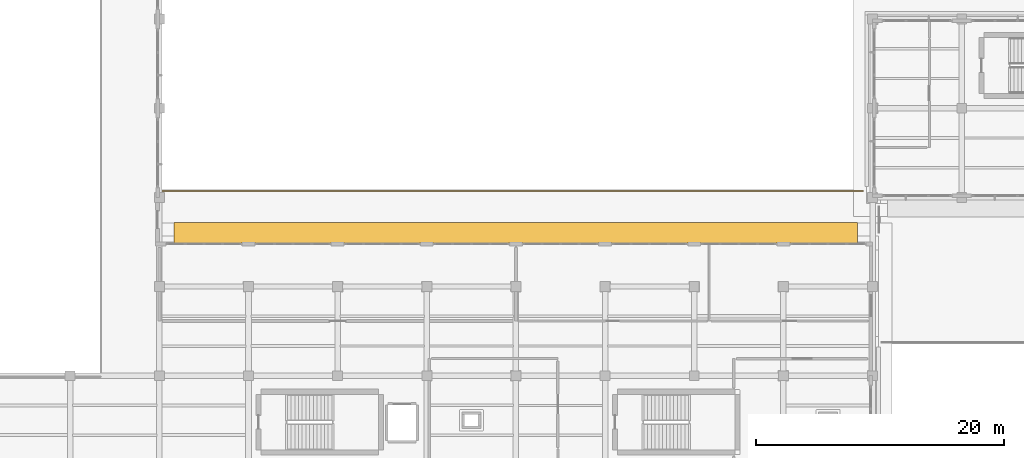
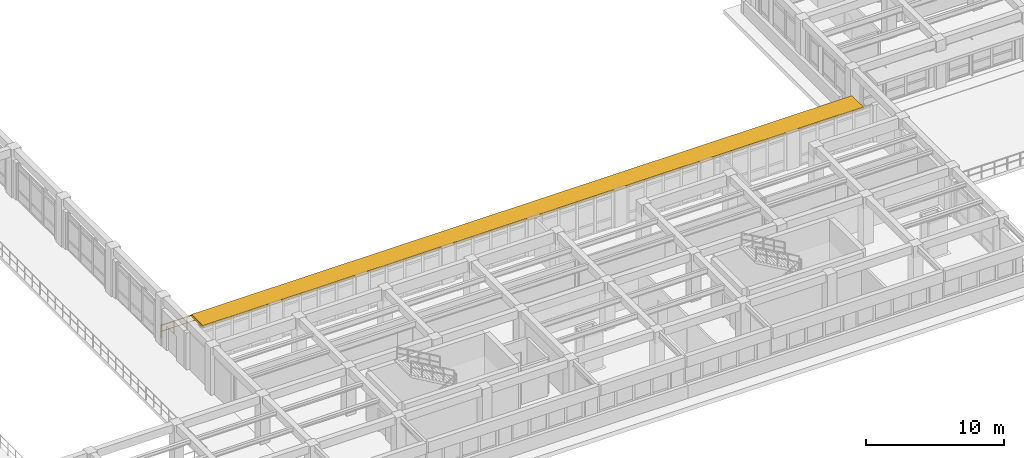
# One storey, part 57 of 67: 1 railing, 1 shading device.
"""IFC4 building model written with IfcOpenShell, lengths in metres."""

from ifc_helpers import new_model, si_unit, direction, frame, origin, origin_2d, place, context, subcontext, project, spatial, rectangle, circle, extrude, material, type_object, element, save


model = new_model("IFC4")

# Units and contexts
model_context = context("Model", 3, precision=1e-05, world=origin(), true_north=direction((0.0, 1.0)))
body_context = subcontext(model_context, "Body", "Model", "MODEL_VIEW")
ifc_project = project(units=[si_unit("LENGTHUNIT", "METRE"), si_unit("AREAUNIT", "SQUARE_METRE"), si_unit("VOLUMEUNIT", "CUBIC_METRE"), si_unit("PLANEANGLEUNIT", "RADIAN"), si_unit("MASSUNIT", "GRAM", prefix="KILO")], contexts=[model_context])

# Site, building, storey
site_placement = place(None, origin())
site = spatial("IfcSite", under=ifc_project, at=site_placement, CompositionType="ELEMENT")
building_placement = place(site_placement, origin())
building = spatial("IfcBuilding", under=site, at=building_placement, Name="Solenvale Faculty of Natural Sciences", CompositionType="ELEMENT")
storey_placement = place(building_placement, frame((0.0, 0.0, 13.5)))
storey = spatial("IfcBuildingStorey", under=building, at=storey_placement, Name="L03", CompositionType="ELEMENT", Elevation=13.5)

# Railing
ifc_material_1 = material(Name="Stainless steel Grade 304", Category="steel")
railing_type = type_object("IfcRailingType", Name="RL-TERR-1100", PredefinedType="GUARDRAIL", material=ifc_material_1)
railing_placement = place(storey_placement, frame((57.719970703125, 43.719970703125, 0.0)))
element("IfcRailing", 1, at=railing_placement, inside=storey, type_object=railing_type, Name="L03 Terrace Guardrail 1.6", PredefinedType="GUARDRAIL", context=body_context, shape_type="SweptSolid", body=[
    extrude(circle(Radius=0.02392578125, at=origin_2d()), frame((0.0, 0.0, 1.09619140625), z_axis=(1.0, 0.0, 0.0), x_axis=(0.0, 1.0, 0.0)), (0.0, 0.0, 1.0), 56.719970703125),
    extrude(circle(Radius=0.01611328125, at=origin_2d()), frame((0.0, 0.0, 0.56005859375), z_axis=(1.0, 0.0, 0.0), x_axis=(0.0, 1.0, 0.0)), (0.0, 0.0, 1.0), 56.719970703125),
    extrude(circle(Radius=0.02099609375, at=origin_2d()), origin(), (0.0, 0.0, 1.0), 1.072021484375),
    extrude(circle(Radius=0.02099609375, at=origin_2d()), frame((1.0908203125, 0.0, 0.0)), (0.0, 0.0, 1.0), 1.072021484375),
    extrude(circle(Radius=0.02099609375, at=origin_2d()), frame((2.181640625, 0.0, 0.0)), (0.0, 0.0, 1.0), 1.072021484375),
    extrude(circle(Radius=0.02099609375, at=origin_2d()), frame((3.272216796875, 0.0, 0.0)), (0.0, 0.0, 1.0), 1.072021484375),
    extrude(circle(Radius=0.02099609375, at=origin_2d()), frame((4.363037109375, 0.0, 0.0)), (0.0, 0.0, 1.0), 1.072021484375),
    extrude(circle(Radius=0.02099609375, at=origin_2d()), frame((5.453857421875, 0.0, 0.0)), (0.0, 0.0, 1.0), 1.072021484375),
    extrude(circle(Radius=0.02099609375, at=origin_2d()), frame((6.544677734375, 0.0, 0.0)), (0.0, 0.0, 1.0), 1.072021484375),
    extrude(circle(Radius=0.02099609375, at=origin_2d()), frame((7.635498046875, 0.0, 0.0)), (0.0, 0.0, 1.0), 1.072021484375),
    extrude(circle(Radius=0.02099609375, at=origin_2d()), frame((8.72607421875, 0.0, 0.0)), (0.0, 0.0, 1.0), 1.072021484375),
    extrude(circle(Radius=0.02099609375, at=origin_2d()), frame((9.81689453125, 0.0, 0.0)), (0.0, 0.0, 1.0), 1.072021484375),
    extrude(circle(Radius=0.02099609375, at=origin_2d()), frame((10.90771484375, 0.0, 0.0)), (0.0, 0.0, 1.0), 1.072021484375),
    extrude(circle(Radius=0.02099609375, at=origin_2d()), frame((11.99853515625, 0.0, 0.0)), (0.0, 0.0, 1.0), 1.072021484375),
    extrude(circle(Radius=0.02099609375, at=origin_2d()), frame((13.089111328125, 0.0, 0.0)), (0.0, 0.0, 1.0), 1.072021484375),
    extrude(circle(Radius=0.02099609375, at=origin_2d()), frame((14.179931640625, 0.0, 0.0)), (0.0, 0.0, 1.0), 1.072021484375),
    extrude(circle(Radius=0.02099609375, at=origin_2d()), frame((15.270751953125, 0.0, 0.0)), (0.0, 0.0, 1.0), 1.072021484375),
    extrude(circle(Radius=0.02099609375, at=origin_2d()), frame((16.361572265625, 0.0, 0.0)), (0.0, 0.0, 1.0), 1.072021484375),
    extrude(circle(Radius=0.02099609375, at=origin_2d()), frame((17.452392578125, 0.0, 0.0)), (0.0, 0.0, 1.0), 1.072021484375),
    extrude(circle(Radius=0.02099609375, at=origin_2d()), frame((18.54296875, 0.0, 0.0)), (0.0, 0.0, 1.0), 1.072021484375),
    extrude(circle(Radius=0.02099609375, at=origin_2d()), frame((19.6337890625, 0.0, 0.0)), (0.0, 0.0, 1.0), 1.072021484375),
    extrude(circle(Radius=0.02099609375, at=origin_2d()), frame((20.724609375, 0.0, 0.0)), (0.0, 0.0, 1.0), 1.072021484375),
    extrude(circle(Radius=0.02099609375, at=origin_2d()), frame((21.8154296875, 0.0, 0.0)), (0.0, 0.0, 1.0), 1.072021484375),
    extrude(circle(Radius=0.02099609375, at=origin_2d()), frame((22.90625, 0.0, 0.0)), (0.0, 0.0, 1.0), 1.072021484375),
    extrude(circle(Radius=0.02099609375, at=origin_2d()), frame((23.996826171875, 0.0, 0.0)), (0.0, 0.0, 1.0), 1.072021484375),
    extrude(circle(Radius=0.02099609375, at=origin_2d()), frame((25.087646484375, 0.0, 0.0)), (0.0, 0.0, 1.0), 1.072021484375),
    extrude(circle(Radius=0.02099609375, at=origin_2d()), frame((26.178466796875, 0.0, 0.0)), (0.0, 0.0, 1.0), 1.072021484375),
    extrude(circle(Radius=0.02099609375, at=origin_2d()), frame((27.269287109375, 0.0, 0.0)), (0.0, 0.0, 1.0), 1.072021484375),
    extrude(circle(Radius=0.02099609375, at=origin_2d()), frame((28.35986328125, 0.0, 0.0)), (0.0, 0.0, 1.0), 1.072021484375),
    extrude(circle(Radius=0.02099609375, at=origin_2d()), frame((29.45068359375, 0.0, 0.0)), (0.0, 0.0, 1.0), 1.072021484375),
    extrude(circle(Radius=0.02099609375, at=origin_2d()), frame((30.54150390625, 0.0, 0.0)), (0.0, 0.0, 1.0), 1.072021484375),
    extrude(circle(Radius=0.02099609375, at=origin_2d()), frame((31.63232421875, 0.0, 0.0)), (0.0, 0.0, 1.0), 1.072021484375),
    extrude(circle(Radius=0.02099609375, at=origin_2d()), frame((32.72314453125, 0.0, 0.0)), (0.0, 0.0, 1.0), 1.072021484375),
    extrude(circle(Radius=0.02099609375, at=origin_2d()), frame((33.813720703125, 0.0, 0.0)), (0.0, 0.0, 1.0), 1.072021484375),
    extrude(circle(Radius=0.02099609375, at=origin_2d()), frame((34.904541015625, 0.0, 0.0)), (0.0, 0.0, 1.0), 1.072021484375),
    extrude(circle(Radius=0.02099609375, at=origin_2d()), frame((35.995361328125, 0.0, 0.0)), (0.0, 0.0, 1.0), 1.072021484375),
    extrude(circle(Radius=0.02099609375, at=origin_2d()), frame((37.086181640625, 0.0, 0.0)), (0.0, 0.0, 1.0), 1.072021484375),
    extrude(circle(Radius=0.02099609375, at=origin_2d()), frame((38.177001953125, 0.0, 0.0)), (0.0, 0.0, 1.0), 1.072021484375),
    extrude(circle(Radius=0.02099609375, at=origin_2d()), frame((39.267578125, 0.0, 0.0)), (0.0, 0.0, 1.0), 1.072021484375),
    extrude(circle(Radius=0.02099609375, at=origin_2d()), frame((40.3583984375, 0.0, 0.0)), (0.0, 0.0, 1.0), 1.072021484375),
    extrude(circle(Radius=0.02099609375, at=origin_2d()), frame((41.44921875, 0.0, 0.0)), (0.0, 0.0, 1.0), 1.072021484375),
    extrude(circle(Radius=0.02099609375, at=origin_2d()), frame((42.5400390625, 0.0, 0.0)), (0.0, 0.0, 1.0), 1.072021484375),
    extrude(circle(Radius=0.02099609375, at=origin_2d()), frame((43.630859375, 0.0, 0.0)), (0.0, 0.0, 1.0), 1.072021484375),
    extrude(circle(Radius=0.02099609375, at=origin_2d()), frame((44.721435546875, 0.0, 0.0)), (0.0, 0.0, 1.0), 1.072021484375),
    extrude(circle(Radius=0.02099609375, at=origin_2d()), frame((45.812255859375, 0.0, 0.0)), (0.0, 0.0, 1.0), 1.072021484375),
    extrude(circle(Radius=0.02099609375, at=origin_2d()), frame((46.903076171875, 0.0, 0.0)), (0.0, 0.0, 1.0), 1.072021484375),
    extrude(circle(Radius=0.02099609375, at=origin_2d()), frame((47.993896484375, 0.0, 0.0)), (0.0, 0.0, 1.0), 1.072021484375),
    extrude(circle(Radius=0.02099609375, at=origin_2d()), frame((49.08447265625, 0.0, 0.0)), (0.0, 0.0, 1.0), 1.072021484375),
    extrude(circle(Radius=0.02099609375, at=origin_2d()), frame((50.17529296875, 0.0, 0.0)), (0.0, 0.0, 1.0), 1.072021484375),
    extrude(circle(Radius=0.02099609375, at=origin_2d()), frame((51.26611328125, 0.0, 0.0)), (0.0, 0.0, 1.0), 1.072021484375),
    extrude(circle(Radius=0.02099609375, at=origin_2d()), frame((52.35693359375, 0.0, 0.0)), (0.0, 0.0, 1.0), 1.072021484375),
    extrude(circle(Radius=0.02099609375, at=origin_2d()), frame((53.44775390625, 0.0, 0.0)), (0.0, 0.0, 1.0), 1.072021484375),
    extrude(circle(Radius=0.02099609375, at=origin_2d()), frame((54.538330078125, 0.0, 0.0)), (0.0, 0.0, 1.0), 1.072021484375),
    extrude(circle(Radius=0.02099609375, at=origin_2d()), frame((55.629150390625, 0.0, 0.0)), (0.0, 0.0, 1.0), 1.072021484375),
    extrude(circle(Radius=0.02099609375, at=origin_2d()), frame((56.719970703125, 0.0, 0.0)), (0.0, 0.0, 1.0), 1.072021484375),
])

# Shading device
ifc_material_2 = material(Name="Anodised bronze aluminium", Category="aluminium")
shading_device_type = type_object("IfcShadingDeviceType", Name="SHD-LVR-1800x1200", PredefinedType="JALOUSIE", material=ifc_material_2)
shading_device_placement = place(storey_placement, frame((86.39990234375, 40.35009765625, 3.0), z_axis=(0.0, 0.0, 1.0), x_axis=(1.0, 0.0, 0.0)))
element("IfcShadingDevice", 2, at=shading_device_placement, inside=storey, type_object=shading_device_type, Name="L03 Shaded Terrace Overhang Canopy 1", PredefinedType="JALOUSIE", context=body_context, shape_type="SweptSolid", body=[
    extrude(rectangle(XDim=55.199951171875, YDim=1.64990234375, at=origin_2d()), origin(), (0.0, 0.0, 1.0), 0.239990234375),
])

save(model, "model.ifc")
